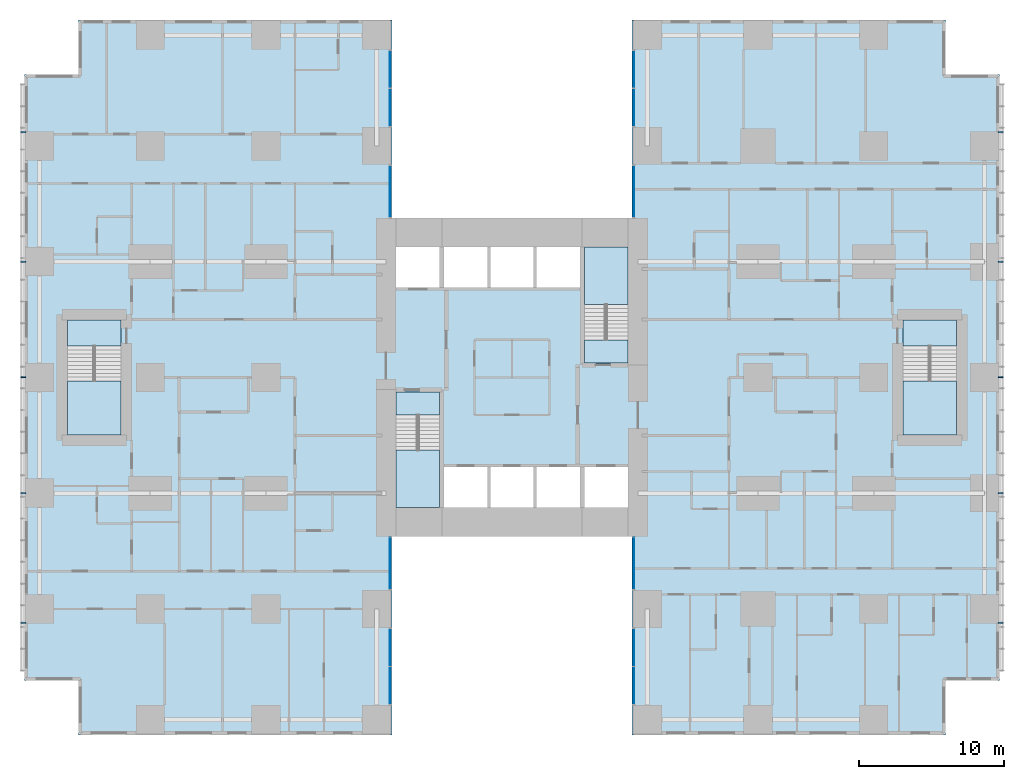
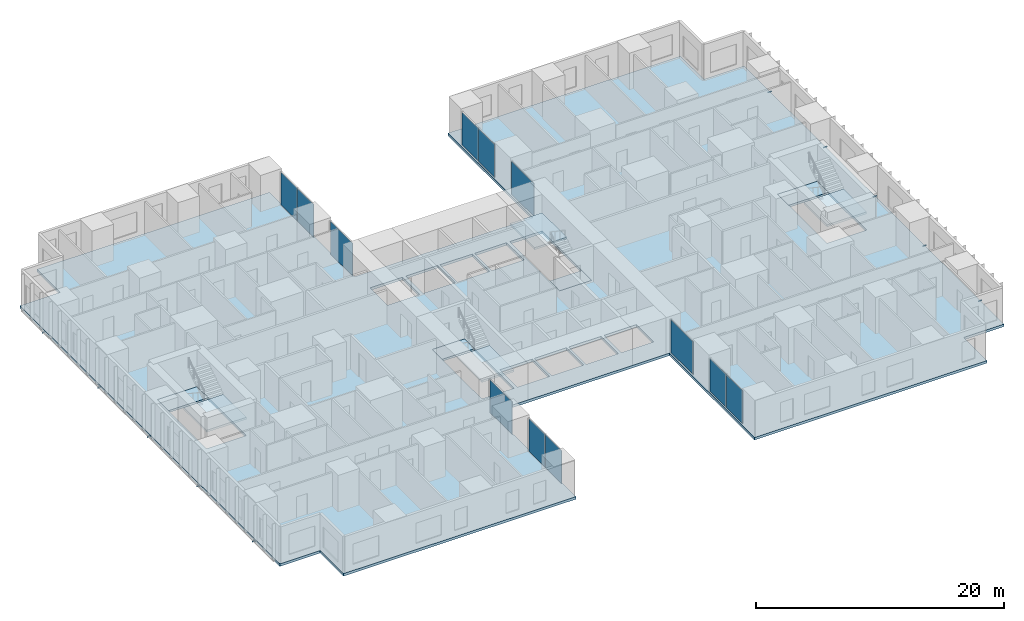
# One storey, part 7 of 20: 12 plates, 10 members, 9 slabs, 12 elements without a shape of their own.
"""IFC4 building model written with IfcOpenShell, lengths in metres."""

from ifc_helpers import new_model, si_unit, direction, frame, origin, origin_2d, place, context, subcontext, project, spatial, polyline, rectangle, hollow_rectangle, outline, extrude, material, layer, layer_set, material_profile, profile_set, type_object, element, aggregate, save


model = new_model("IFC4")

# Units and contexts
model_context = context("Model", 3, precision=1e-05, world=origin(), true_north=direction((0.0, 1.0)))
body_context = subcontext(model_context, "Body", "Model", "MODEL_VIEW")
ifc_project = project(units=[si_unit("LENGTHUNIT", "METRE"), si_unit("AREAUNIT", "SQUARE_METRE"), si_unit("VOLUMEUNIT", "CUBIC_METRE"), si_unit("PLANEANGLEUNIT", "RADIAN"), si_unit("MASSUNIT", "GRAM", prefix="KILO")], contexts=[model_context])

# Site, building, storey
site_placement = place(None, origin())
site = spatial("IfcSite", under=ifc_project, at=site_placement, CompositionType="ELEMENT")
building_placement = place(site_placement, origin())
building = spatial("IfcBuilding", under=site, at=building_placement, Name="Cleftline Residences", CompositionType="ELEMENT")
storey_placement = place(building_placement, frame((0.0, 0.0, 47.60009765625)))
storey = spatial("IfcBuildingStorey", under=building, at=storey_placement, Name="L11", CompositionType="ELEMENT", Elevation=47.60009765625)

# Members
ifc_material_1 = material(Name="Steel S355, hot-dip galvanised", Category="steel")
ifc_material_profile = material_profile(ifc_material_1, hollow_rectangle(XDim=0.10009765625, YDim=0.10009765625, WallThickness=0.008056640625, InnerFilletRadius=0.008056640625, OuterFilletRadius=0.011962890625, at=origin_2d()))
ifc_profile_set = profile_set([ifc_material_profile], Name="Steel S355, hot-dip galvanised")
member_type = type_object("IfcMemberType", Name="BAGUETTE BRACKET SHS 100X100X8", PredefinedType="USERDEFINED", material=ifc_profile_set)
for number, where, z_axis, x_axis, name in (
    (1, (66.60009765625, 7.050048828125, -0.150146484375), (1.0, 0.0, 0.0), (0.0, 1.0, 0.0), "Baguette bracket"),
    (2, (66.60009765625, 16.0, -0.150146484375), (1.0, 0.0, 0.0), (0.0, 1.0, 0.0), "Baguette bracket"),
    (3, (66.60009765625, 24.0, -0.150146484375), (1.0, 0.0, 0.0), (0.0, 1.0, 0.0), "Baguette bracket"),
    (4, (66.60009765625, 32.0, -0.150146484375), (1.0, 0.0, 0.0), (0.0, 1.0, 0.0), "Baguette bracket"),
    (5, (66.60009765625, 40.949951171875, -0.150146484375), (1.0, 0.0, 0.0), (0.0, 1.0, 0.0), "Baguette bracket"),
    (6, (-0.60009765625, 40.949951171875, -0.150146484375), (-1.0, 0.0, 0.0), (0.0, -1.0, 0.0), "Baguette bracket"),
    (7, (-0.60009765625, 32.0, -0.150146484375), (-1.0, 0.0, 0.0), (0.0, -1.0, 0.0), "Baguette bracket"),
    (8, (-0.60009765625, 24.0, -0.150146484375), (-1.0, 0.0, 0.0), (0.0, -1.0, 0.0), "Baguette bracket"),
    (9, (-0.60009765625, 16.0, -0.150146484375), (-1.0, 0.0, 0.0), (0.0, -1.0, 0.0), "Baguette bracket"),
    (10, (-0.60009765625, 7.050048828125, -0.150146484375), (-1.0, 0.0, 0.0), (0.0, -1.0, 0.0), "Baguette bracket"),
):
    element("IfcMember", number, at=place(storey_placement, frame(where, z_axis=z_axis, x_axis=x_axis)), inside=storey, type_object=member_type, Name=name, ObjectType="BAGUETTE BRACKET", PredefinedType="USERDEFINED", context=body_context, shape_type="SweptSolid", body=[
        extrude(hollow_rectangle(XDim=0.10009765625, YDim=0.10009765625, WallThickness=0.008056640625, InnerFilletRadius=0.008056640625, OuterFilletRadius=0.011962890625, at=origin_2d()), origin(), (0.0, 0.0, 1.0), 0.349853515625),
    ])

# Curtain wall, plates
ifc_material_2 = material(Name="Aluminium framed curtain wall", Category="aluminium")
ifc_layer_1 = layer(ifc_material_2, 0.199951171875)
ifc_layer_set_1 = layer_set([ifc_layer_1], Name="CW1 CLEFT GLAZING")
curtain_wall_type = type_object("IfcCurtainWallType", Name="CW1 CLEFT GLAZING", PredefinedType="NOTDEFINED", material=ifc_layer_set_1)
curtain_wall_1_placement = place(storey_placement, origin())
curtain_wall_1 = element("IfcCurtainWall", 11, at=curtain_wall_1_placement, inside=storey, type_object=curtain_wall_type, Name="Curtain wall CW1", PredefinedType="NOTDEFINED")
ifc_material_3 = material(Name="Laminated clear glass", Category="glass")
ifc_layer_2 = layer(ifc_material_3, 0.028076171875)
ifc_layer_set_2 = layer_set([ifc_layer_2], Name="CW1 GLASS PANEL")
plate_type = type_object("IfcPlateType", Name="CW1 GLASS PANEL", PredefinedType="CURTAIN_PANEL", material=ifc_layer_set_2)
plate_1_placement = place(storey_placement, frame((24.574951171875, 2.702392578125, 0.059814453125), z_axis=(0.0, 0.0, 1.0), x_axis=(0.0, 1.0, 0.0)))
plate_1 = element("IfcPlate", 12, at=plate_1_placement, type_object=plate_type, Name="CW1 panel 1.1", PredefinedType="CURTAIN_PANEL", context=body_context, shape_type="SweptSolid", body=[
    extrude(rectangle(XDim=2.5849609375, YDim=0.028076171875, at=origin_2d()), origin(), (0.0, 0.0, 1.0), 3.22998046875),
])
plate_2_placement = place(storey_placement, frame((24.574951171875, 5.347412109375, 0.059814453125), z_axis=(0.0, 0.0, 1.0), x_axis=(0.0, 1.0, 0.0)))
plate_2 = element("IfcPlate", 13, at=plate_2_placement, type_object=plate_type, Name="CW1 panel 2.1", PredefinedType="CURTAIN_PANEL", context=body_context, shape_type="SweptSolid", body=[
    extrude(rectangle(XDim=2.5849609375, YDim=0.028076171875, at=origin_2d()), origin(), (0.0, 0.0, 1.0), 3.22998046875),
])
aggregate(curtain_wall_1, [plate_1, plate_2])

# Curtain wall, plate
curtain_wall_2_placement = place(storey_placement, origin())
curtain_wall_2 = element("IfcCurtainWall", 14, at=curtain_wall_2_placement, inside=storey, type_object=curtain_wall_type, Name="Curtain wall CW1", PredefinedType="NOTDEFINED")
plate_3_placement = place(storey_placement, frame((24.574951171875, 11.14990234375, 0.059814453125), z_axis=(0.0, 0.0, 1.0), x_axis=(0.0, 1.0, 0.0)))
plate_3 = element("IfcPlate", 15, at=plate_3_placement, type_object=plate_type, Name="CW1 panel 1.1", PredefinedType="CURTAIN_PANEL", context=body_context, shape_type="SweptSolid", body=[
    extrude(rectangle(XDim=3.580078125, YDim=0.028076171875, at=origin_2d()), origin(), (0.0, 0.0, 1.0), 3.22998046875),
])
aggregate(curtain_wall_2, [plate_3])

curtain_wall_3_placement = place(storey_placement, origin())
curtain_wall_3 = element("IfcCurtainWall", 16, at=curtain_wall_3_placement, inside=storey, type_object=curtain_wall_type, Name="Curtain wall CW1", PredefinedType="NOTDEFINED")
plate_4_placement = place(storey_placement, frame((41.425048828125, 11.14990234375, 0.059814453125), z_axis=(0.0, 0.0, 1.0), x_axis=(0.0, -1.0, 0.0)))
plate_4 = element("IfcPlate", 17, at=plate_4_placement, type_object=plate_type, Name="CW1 panel 1.1", PredefinedType="CURTAIN_PANEL", context=body_context, shape_type="SweptSolid", body=[
    extrude(rectangle(XDim=3.580078125, YDim=0.028076171875, at=origin_2d()), origin(), (0.0, 0.0, 1.0), 3.22998046875),
])
aggregate(curtain_wall_3, [plate_4])

# Curtain wall, plates
curtain_wall_4_placement = place(storey_placement, origin())
curtain_wall_4 = element("IfcCurtainWall", 18, at=curtain_wall_4_placement, inside=storey, type_object=curtain_wall_type, Name="Curtain wall CW1", PredefinedType="NOTDEFINED")
plate_5_placement = place(storey_placement, frame((41.425048828125, 5.347412109375, 0.059814453125), z_axis=(0.0, 0.0, 1.0), x_axis=(0.0, -1.0, 0.0)))
plate_5 = element("IfcPlate", 19, at=plate_5_placement, type_object=plate_type, Name="CW1 panel 1.1", PredefinedType="CURTAIN_PANEL", context=body_context, shape_type="SweptSolid", body=[
    extrude(rectangle(XDim=2.5849609375, YDim=0.028076171875, at=origin_2d()), origin(), (0.0, 0.0, 1.0), 3.22998046875),
])
plate_6_placement = place(storey_placement, frame((41.425048828125, 2.702392578125, 0.059814453125), z_axis=(0.0, 0.0, 1.0), x_axis=(0.0, -1.0, 0.0)))
plate_6 = element("IfcPlate", 20, at=plate_6_placement, type_object=plate_type, Name="CW1 panel 2.1", PredefinedType="CURTAIN_PANEL", context=body_context, shape_type="SweptSolid", body=[
    extrude(rectangle(XDim=2.5849609375, YDim=0.028076171875, at=origin_2d()), origin(), (0.0, 0.0, 1.0), 3.22998046875),
])
aggregate(curtain_wall_4, [plate_5, plate_6])

curtain_wall_5_placement = place(storey_placement, origin())
curtain_wall_5 = element("IfcCurtainWall", 21, at=curtain_wall_5_placement, inside=storey, type_object=curtain_wall_type, Name="Curtain wall CW1", PredefinedType="NOTDEFINED")
plate_7_placement = place(storey_placement, frame((41.425048828125, 45.297607421875, 0.059814453125), z_axis=(0.0, 0.0, 1.0), x_axis=(0.0, -1.0, 0.0)))
plate_7 = element("IfcPlate", 22, at=plate_7_placement, type_object=plate_type, Name="CW1 panel 1.1", PredefinedType="CURTAIN_PANEL", context=body_context, shape_type="SweptSolid", body=[
    extrude(rectangle(XDim=2.5849609375, YDim=0.028076171875, at=origin_2d()), origin(), (0.0, 0.0, 1.0), 3.22998046875),
])
plate_8_placement = place(storey_placement, frame((41.425048828125, 42.652587890625, 0.059814453125), z_axis=(0.0, 0.0, 1.0), x_axis=(0.0, -1.0, 0.0)))
plate_8 = element("IfcPlate", 23, at=plate_8_placement, type_object=plate_type, Name="CW1 panel 2.1", PredefinedType="CURTAIN_PANEL", context=body_context, shape_type="SweptSolid", body=[
    extrude(rectangle(XDim=2.5849609375, YDim=0.028076171875, at=origin_2d()), origin(), (0.0, 0.0, 1.0), 3.22998046875),
])
aggregate(curtain_wall_5, [plate_7, plate_8])

# Curtain wall, plate
curtain_wall_6_placement = place(storey_placement, origin())
curtain_wall_6 = element("IfcCurtainWall", 24, at=curtain_wall_6_placement, inside=storey, type_object=curtain_wall_type, Name="Curtain wall CW1", PredefinedType="NOTDEFINED")
plate_9_placement = place(storey_placement, frame((41.425048828125, 36.85009765625, 0.059814453125), z_axis=(0.0, 0.0, 1.0), x_axis=(0.0, -1.0, 0.0)))
plate_9 = element("IfcPlate", 25, at=plate_9_placement, type_object=plate_type, Name="CW1 panel 1.1", PredefinedType="CURTAIN_PANEL", context=body_context, shape_type="SweptSolid", body=[
    extrude(rectangle(XDim=3.580078125, YDim=0.028076171875, at=origin_2d()), origin(), (0.0, 0.0, 1.0), 3.22998046875),
])
aggregate(curtain_wall_6, [plate_9])

curtain_wall_7_placement = place(storey_placement, origin())
curtain_wall_7 = element("IfcCurtainWall", 26, at=curtain_wall_7_placement, inside=storey, type_object=curtain_wall_type, Name="Curtain wall CW1", PredefinedType="NOTDEFINED")
plate_10_placement = place(storey_placement, frame((24.574951171875, 36.85009765625, 0.059814453125), z_axis=(0.0, 0.0, 1.0), x_axis=(0.0, 1.0, 0.0)))
plate_10 = element("IfcPlate", 27, at=plate_10_placement, type_object=plate_type, Name="CW1 panel 1.1", PredefinedType="CURTAIN_PANEL", context=body_context, shape_type="SweptSolid", body=[
    extrude(rectangle(XDim=3.580078125, YDim=0.028076171875, at=origin_2d()), origin(), (0.0, 0.0, 1.0), 3.22998046875),
])
aggregate(curtain_wall_7, [plate_10])

# Curtain wall, plates
curtain_wall_8_placement = place(storey_placement, origin())
curtain_wall_8 = element("IfcCurtainWall", 28, at=curtain_wall_8_placement, inside=storey, type_object=curtain_wall_type, Name="Curtain wall CW1", PredefinedType="NOTDEFINED")
plate_11_placement = place(storey_placement, frame((24.574951171875, 42.652587890625, 0.059814453125), z_axis=(0.0, 0.0, 1.0), x_axis=(0.0, 1.0, 0.0)))
plate_11 = element("IfcPlate", 29, at=plate_11_placement, type_object=plate_type, Name="CW1 panel 1.1", PredefinedType="CURTAIN_PANEL", context=body_context, shape_type="SweptSolid", body=[
    extrude(rectangle(XDim=2.5849609375, YDim=0.028076171875, at=origin_2d()), origin(), (0.0, 0.0, 1.0), 3.22998046875),
])
plate_12_placement = place(storey_placement, frame((24.574951171875, 45.297607421875, 0.059814453125), z_axis=(0.0, 0.0, 1.0), x_axis=(0.0, 1.0, 0.0)))
plate_12 = element("IfcPlate", 30, at=plate_12_placement, type_object=plate_type, Name="CW1 panel 2.1", PredefinedType="CURTAIN_PANEL", context=body_context, shape_type="SweptSolid", body=[
    extrude(rectangle(XDim=2.5849609375, YDim=0.028076171875, at=origin_2d()), origin(), (0.0, 0.0, 1.0), 3.22998046875),
])
aggregate(curtain_wall_8, [plate_11, plate_12])

# Slab
ifc_material_4 = material(Name="Concrete B45", Category="concrete")
ifc_layer_3 = layer(ifc_material_4, 0.25)
ifc_layer_set_3 = layer_set([ifc_layer_3], Name="FLOOR SLAB 250")
slab_type_1 = type_object("IfcSlabType", Name="FLOOR SLAB 250", PredefinedType="FLOOR", material=ifc_layer_set_3)
slab_1_placement = place(storey_placement, frame((0.0, 0.0, -0.25)))
element("IfcSlab", 31, at=slab_1_placement, inside=storey, type_object=slab_type_1, Name="Floor slab L11", PredefinedType="FLOOR", context=body_context, shape_type="SweptSolid", body=[
    extrude(outline(polyline([(24.699951171875, 13.0), (41.300048828125, 13.0), (41.300048828125, -0.699951171875), (62.949951171875, -0.699951171875), (62.949951171875, 3.050048828125), (66.699951171875, 3.050048828125), (66.699951171875, 44.949951171875), (62.949951171875, 44.949951171875), (62.949951171875, 48.699951171875), (41.300048828125, 48.699951171875), (41.300048828125, 35.0), (24.699951171875, 35.0), (24.699951171875, 48.699951171875), (3.050048828125, 48.699951171875), (3.050048828125, 44.949951171875), (-0.699951171875, 44.949951171875), (-0.699951171875, 3.050048828125), (3.050048828125, 3.050048828125), (3.050048828125, -0.699951171875), (24.699951171875, -0.699951171875), (24.699951171875, 13.0)]), holes=[polyline([(28.0, 15.0), (28.0, 23.0), (25.0, 23.0), (25.0, 15.0), (28.0, 15.0)]), polyline([(41.0, 25.0), (41.0, 33.0), (38.0, 33.0), (38.0, 25.0), (41.0, 25.0)]), polyline([(28.0, 30.199951171875), (28.0, 33.0), (25.0, 33.0), (25.0, 30.199951171875), (28.0, 30.199951171875)]), polyline([(41.0, 15.0), (41.0, 17.800048828125), (38.0, 17.800048828125), (38.0, 15.0), (41.0, 15.0)]), polyline([(31.300048828125, 15.0), (31.300048828125, 17.800048828125), (28.300048828125, 17.800048828125), (28.300048828125, 15.0), (31.300048828125, 15.0)]), polyline([(34.5, 15.0), (34.5, 17.800048828125), (31.5, 17.800048828125), (31.5, 15.0), (34.5, 15.0)]), polyline([(37.699951171875, 15.0), (37.699951171875, 17.800048828125), (34.699951171875, 17.800048828125), (34.699951171875, 15.0), (37.699951171875, 15.0)]), polyline([(31.300048828125, 30.199951171875), (31.300048828125, 33.0), (28.300048828125, 33.0), (28.300048828125, 30.199951171875), (31.300048828125, 30.199951171875)]), polyline([(34.5, 30.199951171875), (34.5, 33.0), (31.5, 33.0), (31.5, 30.199951171875), (34.5, 30.199951171875)]), polyline([(37.699951171875, 30.199951171875), (37.699951171875, 33.0), (34.699951171875, 33.0), (34.699951171875, 30.199951171875), (37.699951171875, 30.199951171875)]), polyline([(63.72509765625, 20.02490234375), (63.72509765625, 27.97509765625), (60.02490234375, 27.97509765625), (60.02490234375, 20.02490234375), (63.72509765625, 20.02490234375)]), polyline([(5.97509765625, 20.02490234375), (5.97509765625, 27.97509765625), (2.27490234375, 27.97509765625), (2.27490234375, 20.02490234375), (5.97509765625, 20.02490234375)])]), origin(), (0.0, 0.0, 1.0), 0.25),
])

# Stair, slabs
ifc_material_5 = material(Name="Concrete B45, stone treads", Category="masonry")
stair_type_1 = type_object("IfcStairType", Name="STAIR A 1450 WIDE 180 RISER", PredefinedType="HALF_TURN_STAIR", material=ifc_material_5)
stair_1_placement = place(storey_placement, origin())
stair_1 = element("IfcStair", 32, at=stair_1_placement, inside=storey, type_object=stair_type_1, Name="Stair A L11", PredefinedType="HALF_TURN_STAIR")
ifc_material_6 = material(Name="Concrete B45", Category="concrete")
ifc_layer_4 = layer(ifc_material_6, 0.199951171875)
ifc_layer_set_4 = layer_set([ifc_layer_4], Name="STAIR LANDING 200")
slab_type_2 = type_object("IfcSlabType", Name="STAIR LANDING 200", PredefinedType="LANDING", material=ifc_layer_set_4)
slab_2_placement = place(storey_placement, frame((0.0, 0.0, -0.2001953125)))
slab_2 = element("IfcSlab", 33, at=slab_2_placement, type_object=slab_type_2, Name="ST-A landing 1", PredefinedType="LANDING", context=body_context, shape_type="SweptSolid", body=[
    extrude(outline(polyline([(25.0, 21.39990234375), (28.0, 21.39990234375), (28.0, 23.0), (25.0, 23.0), (25.0, 21.39990234375)])), origin(), (0.0, 0.0, 1.0), 0.2001953125),
])
slab_3_placement = place(storey_placement, frame((0.0, 0.0, 1.599853515625)))
slab_3 = element("IfcSlab", 34, at=slab_3_placement, type_object=slab_type_2, Name="ST-A landing 2", PredefinedType="LANDING", context=body_context, shape_type="SweptSolid", body=[
    extrude(outline(polyline([(25.0, 15.0), (28.0, 15.0), (28.0, 18.969970703125), (25.0, 18.969970703125), (25.0, 15.0)])), origin(), (0.0, 0.0, 1.0), 0.199951171875),
])
aggregate(stair_1, [slab_2, slab_3])

ifc_material_7 = material(Name="Concrete B45, stone treads", Category="masonry")
stair_type_2 = type_object("IfcStairType", Name="STAIR B 1450 WIDE 180 RISER", PredefinedType="HALF_TURN_STAIR", material=ifc_material_7)
stair_2_placement = place(storey_placement, origin())
stair_2 = element("IfcStair", 35, at=stair_2_placement, inside=storey, type_object=stair_type_2, Name="Stair B L11", PredefinedType="HALF_TURN_STAIR")
slab_4_placement = place(storey_placement, frame((0.0, 0.0, -0.2001953125)))
slab_4 = element("IfcSlab", 36, at=slab_4_placement, type_object=slab_type_2, Name="ST-B landing 1", PredefinedType="LANDING", context=body_context, shape_type="SweptSolid", body=[
    extrude(outline(polyline([(38.0, 25.0), (41.0, 25.0), (41.0, 26.60009765625), (38.0, 26.60009765625), (38.0, 25.0)])), origin(), (0.0, 0.0, 1.0), 0.2001953125),
])
slab_5_placement = place(storey_placement, frame((0.0, 0.0, 1.599853515625)))
slab_5 = element("IfcSlab", 37, at=slab_5_placement, type_object=slab_type_2, Name="ST-B landing 2", PredefinedType="LANDING", context=body_context, shape_type="SweptSolid", body=[
    extrude(outline(polyline([(38.0, 29.030029296875), (41.0, 29.030029296875), (41.0, 33.0), (38.0, 33.0), (38.0, 29.030029296875)])), origin(), (0.0, 0.0, 1.0), 0.199951171875),
])
aggregate(stair_2, [slab_4, slab_5])

ifc_material_8 = material(Name="Concrete B45, stone treads", Category="masonry")
stair_type_3 = type_object("IfcStairType", Name="STAIR E 1800 WIDE 180 RISER", PredefinedType="HALF_TURN_STAIR", material=ifc_material_8)
stair_3_placement = place(storey_placement, origin())
stair_3 = element("IfcStair", 38, at=stair_3_placement, inside=storey, type_object=stair_type_3, Name="Stair E L11", PredefinedType="HALF_TURN_STAIR")
slab_6_placement = place(storey_placement, frame((0.0, 0.0, -0.2001953125)))
slab_6 = element("IfcSlab", 39, at=slab_6_placement, type_object=slab_type_2, Name="ST-E landing 1", PredefinedType="LANDING", context=body_context, shape_type="SweptSolid", body=[
    extrude(outline(polyline([(60.02490234375, 26.175048828125), (63.72509765625, 26.175048828125), (63.72509765625, 27.97509765625), (60.02490234375, 27.97509765625), (60.02490234375, 26.175048828125)])), origin(), (0.0, 0.0, 1.0), 0.2001953125),
])
slab_7_placement = place(storey_placement, frame((0.0, 0.0, 1.599853515625)))
slab_7 = element("IfcSlab", 40, at=slab_7_placement, type_object=slab_type_2, Name="ST-E landing 2", PredefinedType="LANDING", context=body_context, shape_type="SweptSolid", body=[
    extrude(outline(polyline([(60.02490234375, 20.02490234375), (63.72509765625, 20.02490234375), (63.72509765625, 23.7451171875), (60.02490234375, 23.7451171875), (60.02490234375, 20.02490234375)])), origin(), (0.0, 0.0, 1.0), 0.199951171875),
])
aggregate(stair_3, [slab_6, slab_7])

ifc_material_9 = material(Name="Concrete B45, stone treads", Category="masonry")
stair_type_4 = type_object("IfcStairType", Name="STAIR W 1800 WIDE 180 RISER", PredefinedType="HALF_TURN_STAIR", material=ifc_material_9)
stair_4_placement = place(storey_placement, origin())
stair_4 = element("IfcStair", 41, at=stair_4_placement, inside=storey, type_object=stair_type_4, Name="Stair W L11", PredefinedType="HALF_TURN_STAIR")
slab_8_placement = place(storey_placement, frame((0.0, 0.0, -0.2001953125)))
slab_8 = element("IfcSlab", 42, at=slab_8_placement, type_object=slab_type_2, Name="ST-W landing 1", PredefinedType="LANDING", context=body_context, shape_type="SweptSolid", body=[
    extrude(outline(polyline([(2.27490234375, 26.175048828125), (5.97509765625, 26.175048828125), (5.97509765625, 27.97509765625), (2.27490234375, 27.97509765625), (2.27490234375, 26.175048828125)])), origin(), (0.0, 0.0, 1.0), 0.2001953125),
])
slab_9_placement = place(storey_placement, frame((0.0, 0.0, 1.599853515625)))
slab_9 = element("IfcSlab", 43, at=slab_9_placement, type_object=slab_type_2, Name="ST-W landing 2", PredefinedType="LANDING", context=body_context, shape_type="SweptSolid", body=[
    extrude(outline(polyline([(2.27490234375, 20.02490234375), (5.97509765625, 20.02490234375), (5.97509765625, 23.7451171875), (2.27490234375, 23.7451171875), (2.27490234375, 20.02490234375)])), origin(), (0.0, 0.0, 1.0), 0.199951171875),
])
aggregate(stair_4, [slab_8, slab_9])

save(model, "model.ifc")
